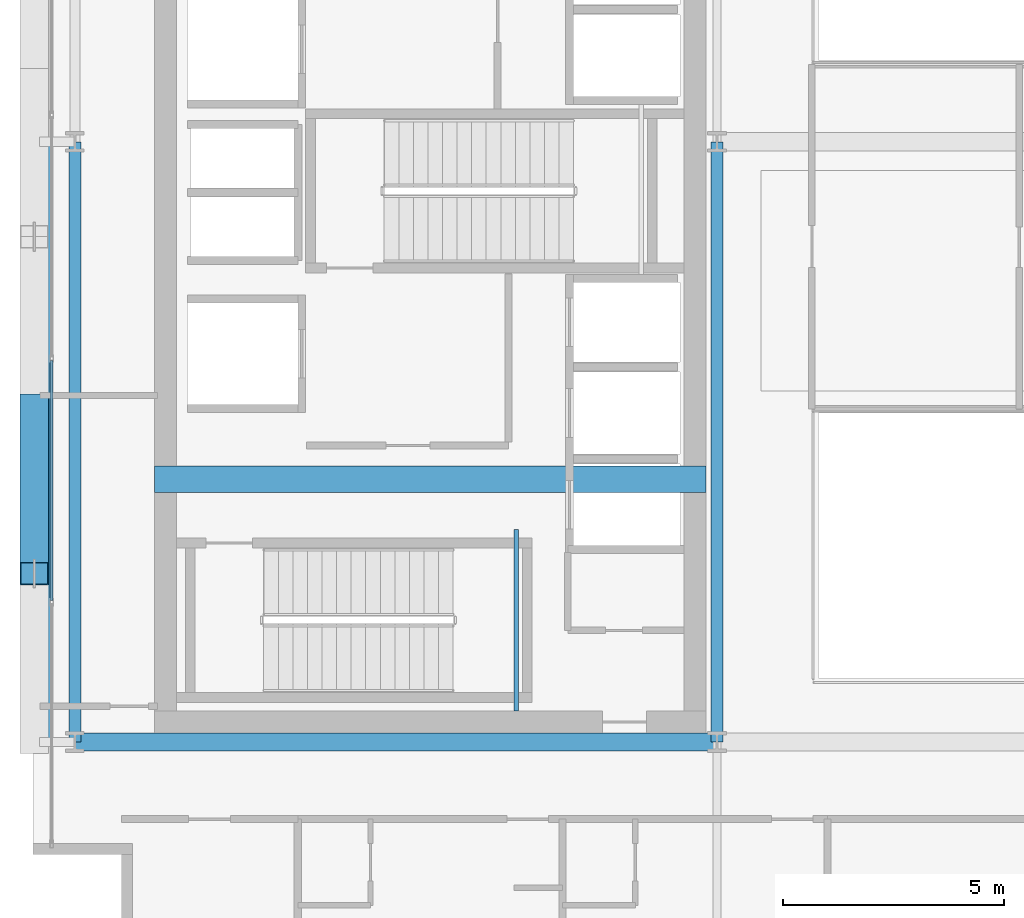
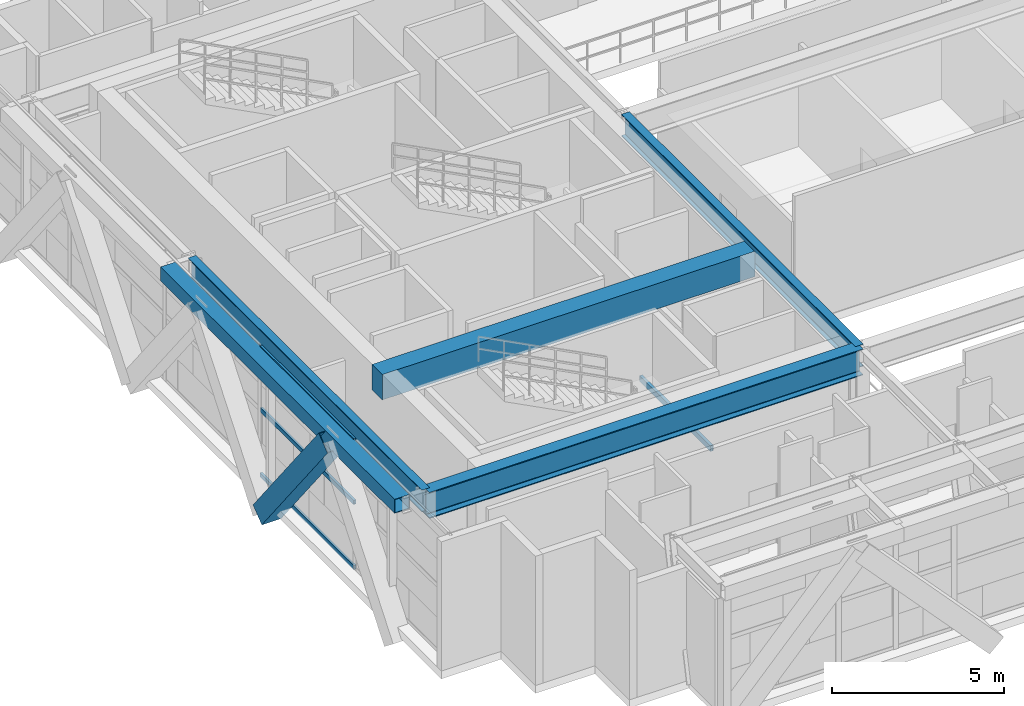
# One storey, part 4 of 31: 6 beams, 4 members, 1 element without a shape of its own.
"""IFC4 building model written with IfcOpenShell, lengths in metres."""

from ifc_helpers import new_model, si_unit, direction, frame, origin, origin_2d, place, context, subcontext, project, spatial, rectangle, hollow_rectangle, i_section, extrude, source, transform, mapped, material, layer, layer_set, material_profile, profile_set, type_object, element, aggregate, save


model = new_model("IFC4")

# Units and contexts
model_context = context("Model", 3, precision=1e-05, world=origin(), true_north=direction((0.0, 1.0)))
body_context = subcontext(model_context, "Body", "Model", "MODEL_VIEW")
ifc_project = project(units=[si_unit("LENGTHUNIT", "METRE"), si_unit("AREAUNIT", "SQUARE_METRE"), si_unit("VOLUMEUNIT", "CUBIC_METRE"), si_unit("PLANEANGLEUNIT", "RADIAN"), si_unit("MASSUNIT", "GRAM", prefix="KILO")], contexts=[model_context])

# Site, building, storey
site_placement = place(None, origin())
site = spatial("IfcSite", under=ifc_project, at=site_placement, CompositionType="ELEMENT")
building_placement = place(site_placement, origin())
building = spatial("IfcBuilding", under=site, at=building_placement, Name="Ocotamira Hotel", CompositionType="ELEMENT")
storey_placement = place(building_placement, frame((0.0, 0.0, 228.0)))
storey = spatial("IfcBuildingStorey", under=building, at=storey_placement, Name="L57", CompositionType="ELEMENT", Elevation=228.0)

# Beams
ifc_material_1 = material(Name="Concrete C50/60", Category="concrete")
ifc_material_profile_1 = material_profile(ifc_material_1, rectangle(XDim=0.60009765625, YDim=0.89990234375, at=origin_2d()), Name="RC600X900")
ifc_profile_set_1 = profile_set([ifc_material_profile_1], Name="Concrete C50/60")
beam_type_1 = type_object("IfcBeamType", Name="BM-LINK-RC600", PredefinedType="LINTEL", material=ifc_profile_set_1)
shared_shape_1 = source(origin(), body_context, "Body", "SweptSolid", [
    extrude(rectangle(XDim=0.60009765625, YDim=0.89990234375, at=origin_2d()), origin(), (0.0, 0.0, 1.0), 12.5),
])
beam_1_placement = place(storey_placement, frame((10.75, 20.5, 4.1298828125), z_axis=(1.0, 0.0, 0.0), x_axis=(0.0, 1.0, 0.0)))
element("IfcBeam", 1, at=beam_1_placement, inside=storey, type_object=beam_type_1, Name="L57 West Core Coupling Beam", PredefinedType="LINTEL", context=body_context, shape_type="MappedRepresentation", body=[
    mapped(shared_shape_1, transform((0.0, 0.0, 0.0), scale=1.0)),
])
ifc_material_2 = material(Name="Steel ASTM A500 Grade C", Category="steel")
ifc_material_profile_2 = material_profile(ifc_material_2, hollow_rectangle(XDim=0.10009765625, YDim=0.199951171875, WallThickness=0.008056640625, at=origin_2d()), Name="HSS200X100X8")
ifc_profile_set_2 = profile_set([ifc_material_profile_2], Name="Steel ASTM A500 Grade C")
beam_type_2 = type_object("IfcBeamType", Name="BM-STLDG-HSS200", PredefinedType="BEAM", material=ifc_profile_set_2)
shared_shape_2 = source(origin(), body_context, "Body", "SweptSolid", [
    extrude(hollow_rectangle(XDim=0.10009765625, YDim=0.199951171875, WallThickness=0.008056640625, at=origin_2d()), origin(), (0.0, 0.0, 1.0), 4.1201171875),
])
beam_2_placement = place(storey_placement, frame((18.949951171875, 15.25, 2.10009765625), z_axis=(0.0, 1.0, 0.0), x_axis=(-1.0, 0.0, 0.0)))
element("IfcBeam", 2, at=beam_2_placement, inside=storey, type_object=beam_type_2, Name="L57 Stair ST-1 Landing Bearer 1", PredefinedType="BEAM", context=body_context, shape_type="MappedRepresentation", body=[
    mapped(shared_shape_2, transform((0.0, 0.0, 0.0), scale=1.0)),
])
ifc_material_3 = material(Name="Steel ASTM A992 Grade 50", Category="steel")
ifc_material_profile_3 = material_profile(ifc_material_3, i_section(OverallWidth=0.41796875, OverallDepth=0.927001953125, WebThickness=0.019287109375, FlangeThickness=0.031982421875, FilletRadius=0.02392578125, at=origin_2d()), Name="W36X231")
ifc_profile_set_3 = profile_set([ifc_material_profile_3], Name="Steel ASTM A992 Grade 50")
beam_type_3 = type_object("IfcBeamType", Name="BM-GIRD-W36X231", PredefinedType="BEAM", material=ifc_profile_set_3)
shared_shape_3 = source(origin(), body_context, "Body", "SweptSolid", [
    extrude(i_section(OverallWidth=0.41796875, OverallDepth=0.927001953125, WebThickness=0.019287109375, FlangeThickness=0.031982421875, FilletRadius=0.02392578125, at=origin_2d()), origin(), (0.0, 0.0, 1.0), 14.550048828125),
])
beam_3_placement = place(storey_placement, frame((8.949951171875, 14.550048828125, 4.116455078125), z_axis=(1.0, 0.0, 0.0), x_axis=(0.0, 1.0, 0.0)))
element("IfcBeam", 3, at=beam_3_placement, inside=storey, type_object=beam_type_3, Name="L57 Girder Y14.55 X8.95-23.5", PredefinedType="BEAM", context=body_context, shape_type="MappedRepresentation", body=[
    mapped(shared_shape_3, transform((0.0, 0.0, 0.0), scale=1.0)),
])
ifc_material_profile_4 = material_profile(ifc_material_3, i_section(OverallWidth=0.26611328125, OverallDepth=0.779052734375, WebThickness=0.0166015625, FlangeThickness=0.030029296875, FilletRadius=0.01806640625, at=origin_2d()), Name="W30X148")
ifc_profile_set_4 = profile_set([ifc_material_profile_4], Name="Steel ASTM A992 Grade 50")
beam_type_4 = type_object("IfcBeamType", Name="BM-GIRD-W30X148", PredefinedType="BEAM", material=ifc_profile_set_4)
shared_shape_4 = source(origin(), body_context, "Body", "SweptSolid", [
    extrude(i_section(OverallWidth=0.26611328125, OverallDepth=0.779052734375, WebThickness=0.0166015625, FlangeThickness=0.030029296875, FilletRadius=0.01806640625, at=origin_2d()), origin(), (0.0, 0.0, 1.0), 13.599853515625),
])
for number, where, z_axis, x_axis, name in (
    (4, (8.949951171875, 14.550048828125, 4.1904296875), (0.0, 1.0, 0.0), (-1.0, 0.0, 0.0), "L57 Beam X8.95 Y14.55-28.15"),
    (5, (23.5, 14.550048828125, 4.1904296875), (0.0, 1.0, 0.0), (-1.0, 0.0, 0.0), "L57 Beam X23.5 Y14.55-28.15"),
):
    element("IfcBeam", number, at=place(storey_placement, frame(where, z_axis=z_axis, x_axis=x_axis)), inside=storey, type_object=beam_type_4, Name=name, PredefinedType="BEAM", context=body_context, shape_type="MappedRepresentation", body=[
        mapped(shared_shape_4, transform((0.0, 0.0, 0.0), scale=1.0)),
    ])
ifc_material_profile_5 = material_profile(ifc_material_2, hollow_rectangle(XDim=0.5, YDim=0.5, WallThickness=0.02001953125, at=origin_2d()), Name="HSS500X500X20")
ifc_profile_set_5 = profile_set([ifc_material_profile_5], Name="Steel ASTM A500 Grade C")
beam_type_5 = type_object("IfcBeamType", Name="BM-SPAN-HSS500", PredefinedType="USERDEFINED", material=ifc_profile_set_5)
shared_shape_5 = source(origin(), body_context, "Body", "SweptSolid", [
    extrude(hollow_rectangle(XDim=0.5, YDim=0.5, WallThickness=0.02001953125, at=origin_2d()), origin(), (0.0, 0.0, 1.0), 13.599853515625),
])
beam_4_placement = place(storey_placement, frame((8.14990234375, 14.550048828125, 4.330078125), z_axis=(0.0, 1.0, 0.0), x_axis=(-1.0, 0.0, 0.0)))
element("IfcBeam", 6, at=beam_4_placement, inside=storey, type_object=beam_type_5, Name="L57 Edge Spandrel W Y14.55-28.15", ObjectType="SPANDREL", PredefinedType="USERDEFINED", context=body_context, shape_type="MappedRepresentation", body=[
    mapped(shared_shape_5, transform((0.0, 0.0, 0.0), scale=1.0)),
])

# Member
ifc_material_4 = material(Name="Pale-metal coated steel ASTM A913 Grade 65", Category="steel")
ifc_material_profile_6 = material_profile(ifc_material_4, hollow_rectangle(XDim=0.64990234375, YDim=0.64990234375, WallThickness=0.02197265625, at=origin_2d()), Name="BOX650X650X22")
ifc_profile_set_6 = profile_set([ifc_material_profile_6], Name="Pale-metal coated steel ASTM A913 Grade 65")
member_type_1 = type_object("IfcMemberType", Name="MEM-EXO-BOX650", PredefinedType="BRACE", material=ifc_profile_set_6)
shared_shape_6 = source(origin(), body_context, "Body", "SweptSolid", [
    extrude(hollow_rectangle(XDim=0.64990234375, YDim=0.64990234375, WallThickness=0.02197265625, at=origin_2d()), origin(), (0.0, 0.0, 1.0), 6.1796875),
])
member_1_placement = place(storey_placement, frame((8.030029296875, 22.183349609375, -0.530029296875), z_axis=(0.0, -0.61762087854, 0.786475969366), x_axis=(1.0, 0.0, 0.0)))
element("IfcMember", 7, at=member_1_placement, inside=storey, type_object=member_type_1, Name="L57 Exoskeleton Diagrid W0.2", PredefinedType="BRACE", context=body_context, shape_type="MappedRepresentation", body=[
    mapped(shared_shape_6, transform((0.0, 0.0, 0.0), scale=1.0)),
])

# Curtain wall, members
ifc_material_5 = material(Name="Anodised pale-metal aluminium and solar glass", Category="aluminium")
ifc_layer = layer(ifc_material_5, 0.239990234375)
ifc_layer_set = layer_set([ifc_layer], Name="Anodised pale-metal aluminium and solar glass")
curtain_wall_type = type_object("IfcCurtainWallType", Name="CW-SYS5-SKY", PredefinedType="NOTDEFINED", material=ifc_layer_set)
curtain_wall_placement = place(storey_placement, origin())
curtain_wall = element("IfcCurtainWall", 8, at=curtain_wall_placement, inside=storey, type_object=curtain_wall_type, Name="L57 Curtain Wall CW-5 CW-L57-W", PredefinedType="NOTDEFINED")
ifc_material_6 = material(Name="Anodised pale-metal aluminium 6063-T6", Category="aluminium")
ifc_material_profile_7 = material_profile(ifc_material_6, hollow_rectangle(XDim=0.074951171875, YDim=0.14990234375, WallThickness=0.006103515625, at=origin_2d()), Name="HSS150X75X6")
ifc_profile_set_7 = profile_set([ifc_material_profile_7], Name="Anodised pale-metal aluminium 6063-T6")
member_type_2 = type_object("IfcMemberType", Name="CWT-150X75", PredefinedType="USERDEFINED", material=ifc_profile_set_7)
shared_shape_7 = source(origin(), body_context, "Body", "SweptSolid", [
    extrude(hollow_rectangle(XDim=0.074951171875, YDim=0.14990234375, WallThickness=0.006103515625, at=origin_2d()), origin(), (0.0, 0.0, 1.0), 5.43994140625),
])
member_2_placement = place(storey_placement, frame((8.419921875, 17.760009765625, 0.03759765625), z_axis=(0.0, 1.0, 0.0), x_axis=(-1.0, 0.0, 0.0)))
member_2 = element("IfcMember", 9, at=member_2_placement, type_object=member_type_2, Name="CW-5 transom 2.1", ObjectType="TRANSOM", PredefinedType="USERDEFINED", context=body_context, shape_type="MappedRepresentation", body=[
    mapped(shared_shape_7, transform((0.0, 0.0, 0.0), scale=1.0)),
])
member_3_placement = place(storey_placement, frame((8.419921875, 17.760009765625, 2.35009765625), z_axis=(0.0, 1.0, 0.0), x_axis=(-1.0, 0.0, 0.0)))
member_3 = element("IfcMember", 10, at=member_3_placement, type_object=member_type_2, Name="CW-5 transom 2.2", ObjectType="TRANSOM", PredefinedType="USERDEFINED", context=body_context, shape_type="MappedRepresentation", body=[
    mapped(shared_shape_7, transform((0.0, 0.0, 0.0), scale=1.0)),
])
member_4_placement = place(storey_placement, frame((8.419921875, 17.760009765625, 4.54248046875), z_axis=(0.0, 1.0, 0.0), x_axis=(-1.0, 0.0, 0.0)))
member_4 = element("IfcMember", 11, at=member_4_placement, type_object=member_type_2, Name="CW-5 transom 2.3", ObjectType="TRANSOM", PredefinedType="USERDEFINED", context=body_context, shape_type="MappedRepresentation", body=[
    mapped(shared_shape_7, transform((0.0, 0.0, 0.0), scale=1.0)),
])
aggregate(curtain_wall, [member_2, member_3, member_4])

save(model, "model.ifc")
